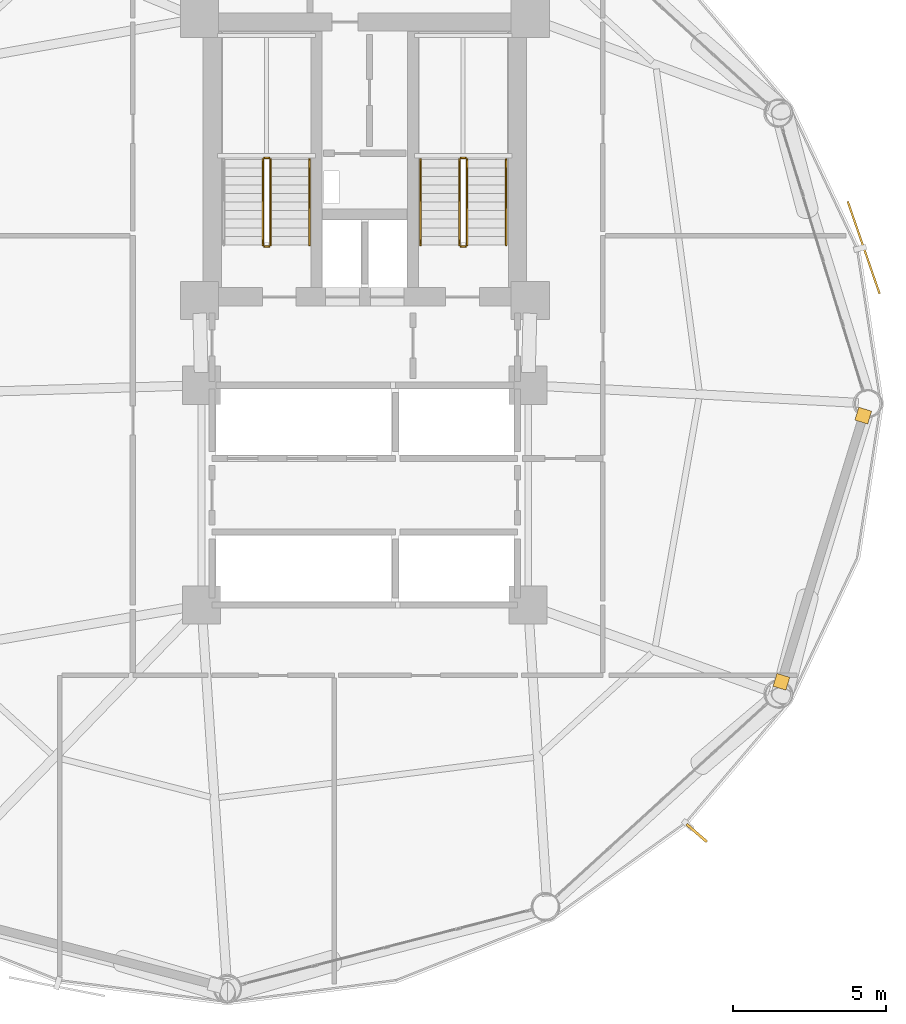
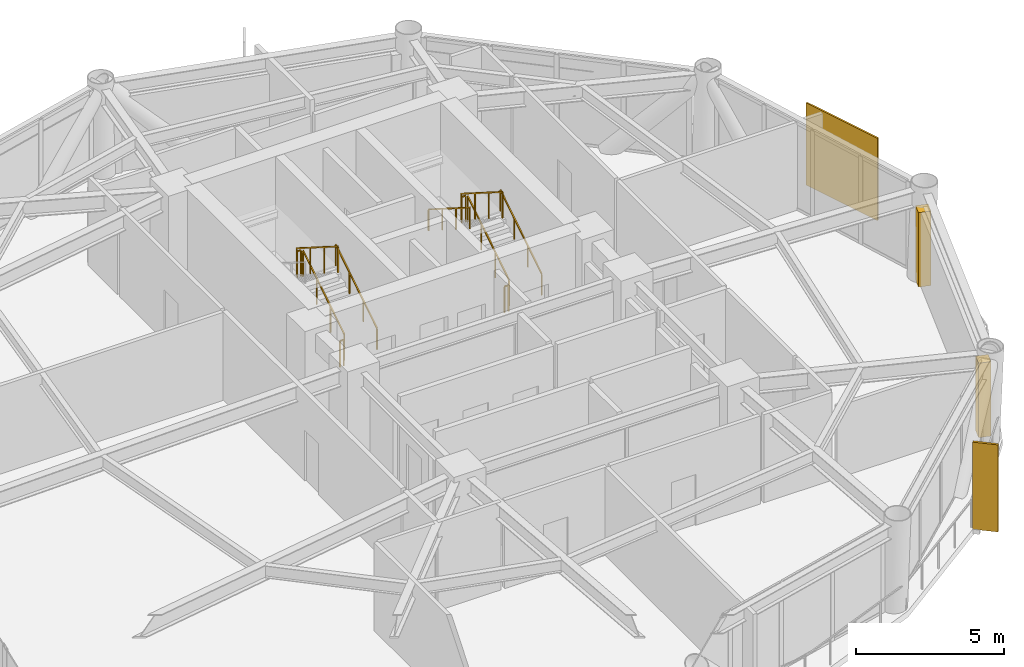
# One storey, part 25 of 26: 11 railings, 2 coverings, 2 shading devices.
"""IFC4 building model written with IfcOpenShell, lengths in metres."""

from ifc_helpers import new_model, si_unit, direction, frame, origin, origin_2d, place, context, subcontext, project, spatial, rectangle, extrude, source, transform, mapped, material, layer, layer_set, type_object, type_shapes, element, save


model = new_model("IFC4")

# Units and contexts
model_context = context("Model", 3, precision=1e-05, world=origin(), true_north=direction((0.0, 1.0)))
body_context = subcontext(model_context, "Body", "Model", "MODEL_VIEW")
ifc_project = project(units=[si_unit("LENGTHUNIT", "METRE"), si_unit("AREAUNIT", "SQUARE_METRE"), si_unit("VOLUMEUNIT", "CUBIC_METRE"), si_unit("PLANEANGLEUNIT", "RADIAN"), si_unit("MASSUNIT", "GRAM", prefix="KILO")], contexts=[model_context])

# Site, building, storey
site_placement = place(None, origin())
site = spatial("IfcSite", under=ifc_project, at=site_placement, CompositionType="ELEMENT")
building_placement = place(site_placement, origin())
building = spatial("IfcBuilding", under=site, at=building_placement, Name="Varnakorn Sky Granary", CompositionType="ELEMENT")
storey_placement = place(building_placement, frame((0.0, 0.0, 47.10009765625)))
storey = spatial("IfcBuildingStorey", under=building, at=storey_placement, Name="L11", CompositionType="ELEMENT", Elevation=47.10009765625)

# Railings
ifc_material_1 = material(Name="Brushed Stainless Steel 316", Category="steel")
railing_type_1 = type_object("IfcRailingType", Name="RL-STAIR-1100", PredefinedType="GUARDRAIL", material=ifc_material_1)
railing_1_placement = place(storey_placement, frame((-0.090087890625, 5.199951171875, 0.17724609375)))
element("IfcRailing", 1, at=railing_1_placement, inside=storey, type_object=railing_type_1, Name="L11 ST-1 stair guard 1", PredefinedType="GUARDRAIL", context=body_context, shape_type="SweptSolid", body=[
    extrude(rectangle(XDim=0.048095703125, YDim=0.048095703125, at=origin_2d()), frame((0.0, 0.0, 1.076171875), z_axis=(0.0, 0.844908973607, 0.534910110503), x_axis=(-1.0, 0.0, 0.0)), (0.0, 0.0, 1.0), 3.31396484375),
    extrude(rectangle(XDim=0.0419921875, YDim=0.0419921875, at=origin_2d()), origin(), (0.0, 0.0, 1.0), 1.048095703125),
    extrude(rectangle(XDim=0.0419921875, YDim=0.0419921875, at=origin_2d()), frame((0.0, 0.933349609375, 0.5908203125)), (0.0, 0.0, 1.0), 1.048095703125),
    extrude(rectangle(XDim=0.0419921875, YDim=0.0419921875, at=origin_2d()), frame((0.0, 1.86669921875, 1.181884765625)), (0.0, 0.0, 1.0), 1.048095703125),
    extrude(rectangle(XDim=0.0419921875, YDim=0.0419921875, at=origin_2d()), frame((0.0, 2.800048828125, 1.772705078125)), (0.0, 0.0, 1.0), 1.048095703125),
])
railing_2_placement = place(storey_placement, frame((-0.139892578125, 8.050048828125, 1.949951171875)))
element("IfcRailing", 2, at=railing_2_placement, inside=storey, type_object=railing_type_1, Name="L11 ST-1 stair guard 2", PredefinedType="GUARDRAIL", context=body_context, shape_type="SweptSolid", body=[
    extrude(rectangle(XDim=0.048095703125, YDim=0.048095703125, at=origin_2d()), frame((0.0, 0.0, 1.076171875), z_axis=(-1.0, 0.0, 0.0), x_axis=(0.0, -1.0, 0.0)), (0.0, 0.0, 1.0), 0.150146484375),
    extrude(rectangle(XDim=0.0419921875, YDim=0.0419921875, at=origin_2d()), origin(), (0.0, 0.0, 1.0), 1.048095703125),
    extrude(rectangle(XDim=0.0419921875, YDim=0.0419921875, at=origin_2d()), frame((-0.150146484375, 0.0, 0.0)), (0.0, 0.0, 1.0), 1.048095703125),
])
railing_3_placement = place(storey_placement, frame((-0.340087890625, 8.0, 2.127197265625)))
element("IfcRailing", 3, at=railing_3_placement, inside=storey, type_object=railing_type_1, Name="L11 ST-1 stair guard 3", PredefinedType="GUARDRAIL", context=body_context, shape_type="SweptSolid", body=[
    extrude(rectangle(XDim=0.048095703125, YDim=0.048095703125, at=origin_2d()), frame((0.0, 0.0, 1.076171875), z_axis=(0.0, -0.844908973607, 0.534910110503), x_axis=(1.0, 0.0, 0.0)), (0.0, 0.0, 1.0), 3.31396484375),
    extrude(rectangle(XDim=0.0419921875, YDim=0.0419921875, at=origin_2d()), origin(), (0.0, 0.0, 1.0), 1.048095703125),
    extrude(rectangle(XDim=0.0419921875, YDim=0.0419921875, at=origin_2d()), frame((0.0, -0.933349609375, 0.5908203125)), (0.0, 0.0, 1.0), 1.048095703125),
    extrude(rectangle(XDim=0.0419921875, YDim=0.0419921875, at=origin_2d()), frame((0.0, -1.86669921875, 1.181884765625)), (0.0, 0.0, 1.0), 1.048095703125),
    extrude(rectangle(XDim=0.0419921875, YDim=0.0419921875, at=origin_2d()), frame((0.0, -2.800048828125, 1.772705078125)), (0.0, 0.0, 1.0), 1.048095703125),
])
railing_4_placement = place(storey_placement, frame((-0.139892578125, 5.14990234375, 0.0)))
element("IfcRailing", 4, at=railing_4_placement, inside=storey, type_object=railing_type_1, Name="L11 ST-1 stair guard 4", PredefinedType="GUARDRAIL", context=body_context, shape_type="SweptSolid", body=[
    extrude(rectangle(XDim=0.048095703125, YDim=0.048095703125, at=origin_2d()), frame((0.0, 0.0, 1.076171875), z_axis=(-1.0, 0.0, 0.0), x_axis=(0.0, -1.0, 0.0)), (0.0, 0.0, 1.0), 0.150146484375),
    extrude(rectangle(XDim=0.0419921875, YDim=0.0419921875, at=origin_2d()), origin(), (0.0, 0.0, 1.0), 1.048095703125),
    extrude(rectangle(XDim=0.0419921875, YDim=0.0419921875, at=origin_2d()), frame((-0.150146484375, 0.0, 0.0)), (0.0, 0.0, 1.0), 1.048095703125),
])
railing_5_placement = place(storey_placement, frame((6.35009765625, 5.199951171875, 0.17724609375)))
element("IfcRailing", 5, at=railing_5_placement, inside=storey, type_object=railing_type_1, Name="L11 ST-2 stair guard 1", PredefinedType="GUARDRAIL", context=body_context, shape_type="SweptSolid", body=[
    extrude(rectangle(XDim=0.048095703125, YDim=0.048095703125, at=origin_2d()), frame((0.0, 0.0, 1.076171875), z_axis=(0.0, 0.844908973607, 0.534910110503), x_axis=(-1.0, 0.0, 0.0)), (0.0, 0.0, 1.0), 3.31396484375),
    extrude(rectangle(XDim=0.0419921875, YDim=0.0419921875, at=origin_2d()), origin(), (0.0, 0.0, 1.0), 1.048095703125),
    extrude(rectangle(XDim=0.0419921875, YDim=0.0419921875, at=origin_2d()), frame((0.0, 0.933349609375, 0.5908203125)), (0.0, 0.0, 1.0), 1.048095703125),
    extrude(rectangle(XDim=0.0419921875, YDim=0.0419921875, at=origin_2d()), frame((0.0, 1.86669921875, 1.181884765625)), (0.0, 0.0, 1.0), 1.048095703125),
    extrude(rectangle(XDim=0.0419921875, YDim=0.0419921875, at=origin_2d()), frame((0.0, 2.800048828125, 1.772705078125)), (0.0, 0.0, 1.0), 1.048095703125),
])
railing_6_placement = place(storey_placement, frame((6.300048828125, 8.050048828125, 1.949951171875)))
element("IfcRailing", 6, at=railing_6_placement, inside=storey, type_object=railing_type_1, Name="L11 ST-2 stair guard 2", PredefinedType="GUARDRAIL", context=body_context, shape_type="SweptSolid", body=[
    extrude(rectangle(XDim=0.048095703125, YDim=0.048095703125, at=origin_2d()), frame((0.0, 0.0, 1.076171875), z_axis=(-1.0, 0.0, 0.0), x_axis=(0.0, -1.0, 0.0)), (0.0, 0.0, 1.0), 0.150146484375),
    extrude(rectangle(XDim=0.0419921875, YDim=0.0419921875, at=origin_2d()), origin(), (0.0, 0.0, 1.0), 1.048095703125),
    extrude(rectangle(XDim=0.0419921875, YDim=0.0419921875, at=origin_2d()), frame((-0.150146484375, 0.0, 0.0)), (0.0, 0.0, 1.0), 1.048095703125),
])
railing_7_placement = place(storey_placement, frame((6.10009765625, 8.0, 2.127197265625)))
element("IfcRailing", 7, at=railing_7_placement, inside=storey, type_object=railing_type_1, Name="L11 ST-2 stair guard 3", PredefinedType="GUARDRAIL", context=body_context, shape_type="SweptSolid", body=[
    extrude(rectangle(XDim=0.048095703125, YDim=0.048095703125, at=origin_2d()), frame((0.0, 0.0, 1.076171875), z_axis=(0.0, -0.844908973607, 0.534910110503), x_axis=(1.0, 0.0, 0.0)), (0.0, 0.0, 1.0), 3.31396484375),
    extrude(rectangle(XDim=0.0419921875, YDim=0.0419921875, at=origin_2d()), origin(), (0.0, 0.0, 1.0), 1.048095703125),
    extrude(rectangle(XDim=0.0419921875, YDim=0.0419921875, at=origin_2d()), frame((0.0, -0.933349609375, 0.5908203125)), (0.0, 0.0, 1.0), 1.048095703125),
    extrude(rectangle(XDim=0.0419921875, YDim=0.0419921875, at=origin_2d()), frame((0.0, -1.86669921875, 1.181884765625)), (0.0, 0.0, 1.0), 1.048095703125),
    extrude(rectangle(XDim=0.0419921875, YDim=0.0419921875, at=origin_2d()), frame((0.0, -2.800048828125, 1.772705078125)), (0.0, 0.0, 1.0), 1.048095703125),
])
railing_8_placement = place(storey_placement, frame((6.300048828125, 5.14990234375, 0.0)))
element("IfcRailing", 8, at=railing_8_placement, inside=storey, type_object=railing_type_1, Name="L11 ST-2 stair guard 4", PredefinedType="GUARDRAIL", context=body_context, shape_type="SweptSolid", body=[
    extrude(rectangle(XDim=0.048095703125, YDim=0.048095703125, at=origin_2d()), frame((0.0, 0.0, 1.076171875), z_axis=(-1.0, 0.0, 0.0), x_axis=(0.0, -1.0, 0.0)), (0.0, 0.0, 1.0), 0.150146484375),
    extrude(rectangle(XDim=0.0419921875, YDim=0.0419921875, at=origin_2d()), origin(), (0.0, 0.0, 1.0), 1.048095703125),
    extrude(rectangle(XDim=0.0419921875, YDim=0.0419921875, at=origin_2d()), frame((-0.150146484375, 0.0, 0.0)), (0.0, 0.0, 1.0), 1.048095703125),
])
railing_type_2 = type_object("IfcRailingType", Name="RL-STAIR-920", PredefinedType="HANDRAIL", material=ifc_material_1)
for number, where, name in (
    (9, (1.18994140625, 5.199951171875, 0.17724609375), "L11 ST-1 stair handrail 1"),
    (10, (7.6298828125, 5.199951171875, 0.17724609375), "L11 ST-2 stair handrail 1"),
):
    element("IfcRailing", number, at=place(storey_placement, frame(where)), inside=storey, type_object=railing_type_2, Name=name, PredefinedType="HANDRAIL", context=body_context, shape_type="SweptSolid", body=[
        extrude(rectangle(XDim=0.048095703125, YDim=0.048095703125, at=origin_2d()), frame((0.0, 0.0, 0.8759765625), z_axis=(0.0, 0.844908973607, 0.534910110503), x_axis=(-1.0, 0.0, 0.0)), (0.0, 0.0, 1.0), 3.31396484375),
        extrude(rectangle(XDim=0.0419921875, YDim=0.0419921875, at=origin_2d()), origin(), (0.0, 0.0, 1.0), 0.847900390625),
        extrude(rectangle(XDim=0.0419921875, YDim=0.0419921875, at=origin_2d()), frame((0.0, 0.933349609375, 0.5908203125)), (0.0, 0.0, 1.0), 0.847900390625),
        extrude(rectangle(XDim=0.0419921875, YDim=0.0419921875, at=origin_2d()), frame((0.0, 1.86669921875, 1.181884765625)), (0.0, 0.0, 1.0), 0.847900390625),
        extrude(rectangle(XDim=0.0419921875, YDim=0.0419921875, at=origin_2d()), frame((0.0, 2.800048828125, 1.772705078125)), (0.0, 0.0, 1.0), 0.847900390625),
    ])
railing_9_placement = place(storey_placement, frame((4.820068359375, 8.0, 2.127197265625)))
element("IfcRailing", 11, at=railing_9_placement, inside=storey, type_object=railing_type_2, Name="L11 ST-2 stair handrail 2", PredefinedType="HANDRAIL", context=body_context, shape_type="SweptSolid", body=[
    extrude(rectangle(XDim=0.048095703125, YDim=0.048095703125, at=origin_2d()), frame((0.0, 0.0, 0.8759765625), z_axis=(0.0, -0.844908973607, 0.534910110503), x_axis=(1.0, 0.0, 0.0)), (0.0, 0.0, 1.0), 3.31396484375),
    extrude(rectangle(XDim=0.0419921875, YDim=0.0419921875, at=origin_2d()), origin(), (0.0, 0.0, 1.0), 0.847900390625),
    extrude(rectangle(XDim=0.0419921875, YDim=0.0419921875, at=origin_2d()), frame((0.0, -0.933349609375, 0.5908203125)), (0.0, 0.0, 1.0), 0.847900390625),
    extrude(rectangle(XDim=0.0419921875, YDim=0.0419921875, at=origin_2d()), frame((0.0, -1.86669921875, 1.181884765625)), (0.0, 0.0, 1.0), 0.847900390625),
    extrude(rectangle(XDim=0.0419921875, YDim=0.0419921875, at=origin_2d()), frame((0.0, -2.800048828125, 1.772705078125)), (0.0, 0.0, 1.0), 0.847900390625),
])

# Shading device
ifc_material_2 = material(Name="Anodised Bronze Aluminium Alloy 6063-T6", Category="aluminium")
shading_device_type_1 = type_object("IfcShadingDeviceType", Name="SH-FIN-01", PredefinedType="USERDEFINED", material=ifc_material_2)
shared_shape_1 = source(origin(), body_context, "Body", "SweptSolid", [
    extrude(rectangle(XDim=0.0849609375, YDim=0.8798828125, at=origin_2d()), origin(), (0.0, 0.0, 1.0), 3.60009765625),
])
type_shapes(shading_device_type_1, [shared_shape_1])
shading_device_1_placement = place(storey_placement, frame((13.874267578125, -14.06884765625, -0.0400390625), z_axis=(0.0, 0.0, 1.0), x_axis=(0.656658209223, 0.754188302919, 0.0)))
element("IfcShadingDevice", 12, at=shading_device_1_placement, inside=storey, type_object=shading_device_type_1, Name="Bronze Solar-Tracking Vertical Blade FIN L11-11", ObjectType="FIN", PredefinedType="USERDEFINED", context=body_context, shape_type="MappedRepresentation", body=[
    mapped(shared_shape_1, transform((0.0, 0.0, 0.0), x_axis=(1.0, 0.0, 0.0), y_axis=(0.0, 1.0, 0.0), z_axis=(0.0, 0.0, 1.0), scale=1.0)),
])

# Coverings
ifc_layer = layer(ifc_material_2, 0.050048828125, Name="Anodised Bronze Aluminium Alloy 6063-T6")
ifc_layer_set = layer_set([ifc_layer], Name="Anodised Bronze Aluminium Alloy 6063-T6")
covering_type = type_object("IfcCoveringType", Name="CV-CLAD-50", PredefinedType="CLADDING", material=ifc_layer_set)
shared_shape_2 = source(origin(), body_context, "Body", "SweptSolid", [
    extrude(rectangle(XDim=0.43994140625, YDim=0.43994140625, at=origin_2d()), origin(), (0.0, 0.0, 1.0), 3.080078125),
])
type_shapes(covering_type, [shared_shape_2])
for number, where, z_axis, x_axis, name in (
    (13, (19.328857421875, -0.393798828125, -0.02001953125), (0.0, 0.0, 1.0), (-0.293873503404, -0.955844319959, 0.0), "Bronze Corner Pilaster Closure L11-P12-A"),
    (14, (16.6474609375, -9.11376953125, -0.02001953125), (0.0, 0.0, 1.0), (-0.293873503404, -0.955844319959, 0.0), "Bronze Corner Pilaster Closure L11-P12-B"),
):
    element("IfcCovering", number, at=place(storey_placement, frame(where, z_axis=z_axis, x_axis=x_axis)), inside=storey, type_object=covering_type, Name=name, PredefinedType="CLADDING", context=body_context, shape_type="MappedRepresentation", body=[
        mapped(shared_shape_2, transform((0.0, 0.0, 0.0), x_axis=(1.0, 0.0, 0.0), y_axis=(0.0, 1.0, 0.0), z_axis=(0.0, 0.0, 1.0), scale=1.0)),
    ])

# Shading device
shading_device_type_2 = type_object("IfcShadingDeviceType", Name="SH-SCR-01", PredefinedType="USERDEFINED", material=ifc_material_2)
shared_shape_3 = source(origin(), body_context, "Body", "SweptSolid", [
    extrude(rectangle(XDim=3.199951171875, YDim=0.06494140625, at=origin_2d()), origin(), (0.0, 0.0, 1.0), 3.39990234375),
])
type_shapes(shading_device_type_2, [shared_shape_3])
shading_device_2_placement = place(storey_placement, frame((19.341064453125, 5.11328125, -0.0400390625), z_axis=(0.0, 0.0, 1.0), x_axis=(-0.32614178391, 0.945320864463, 0.0)))
element("IfcShadingDevice", 15, at=shading_device_2_placement, inside=storey, type_object=shading_device_type_2, Name="Perforated Bronze Solar Screen Panel SCREEN L11-01", ObjectType="SCREEN", PredefinedType="USERDEFINED", context=body_context, shape_type="MappedRepresentation", body=[
    mapped(shared_shape_3, transform((0.0, 0.0, 0.0), x_axis=(1.0, 0.0, 0.0), y_axis=(0.0, 1.0, 0.0), z_axis=(0.0, 0.0, 1.0), scale=1.0)),
])

save(model, "model.ifc")
